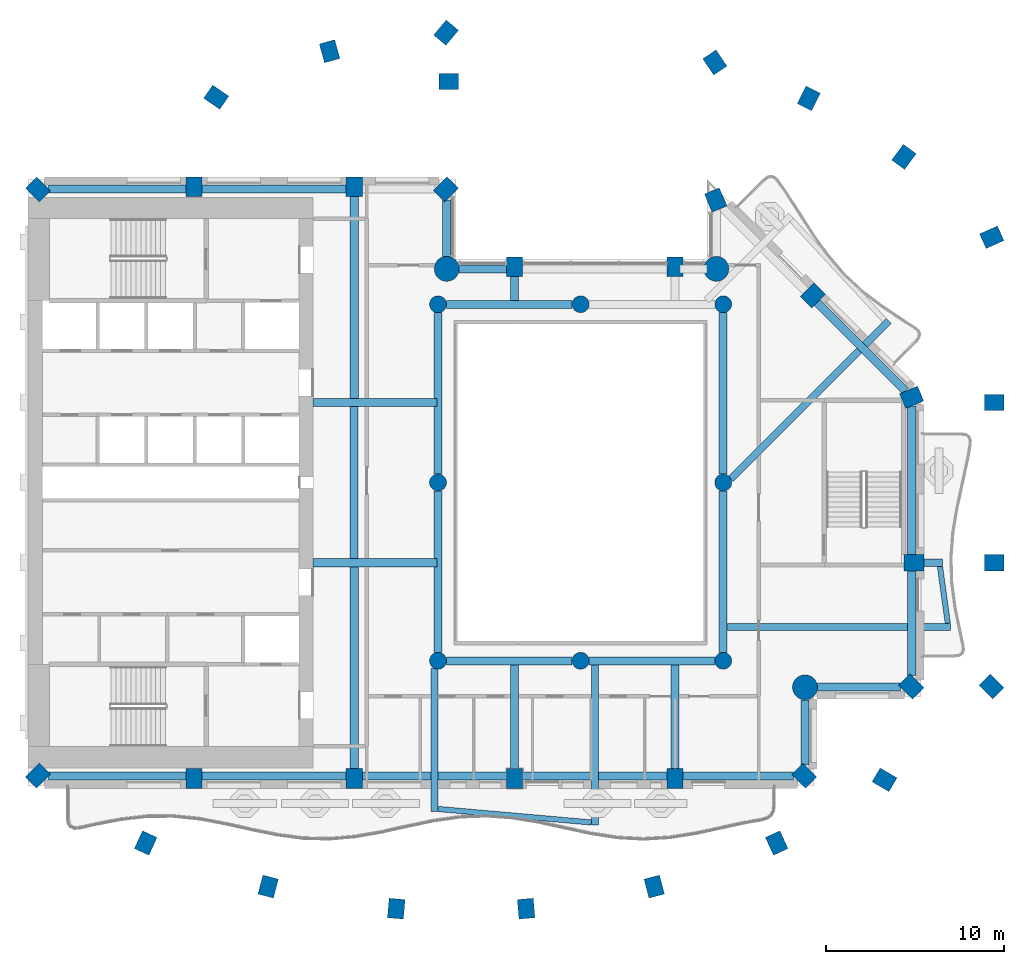
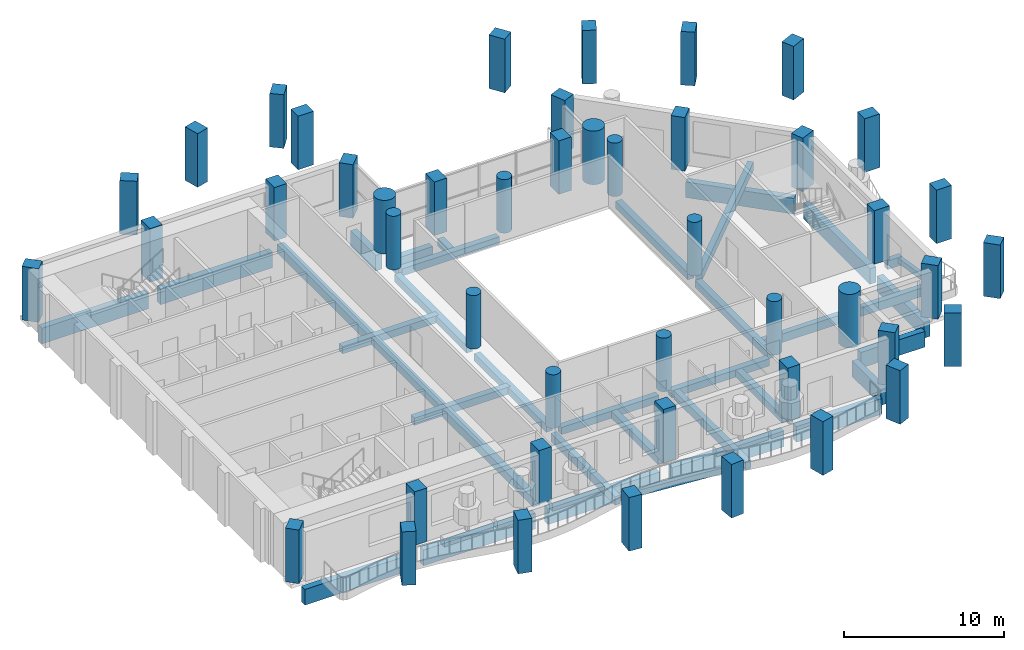
# One storey, part 1 of 15: 46 columns, 36 beams.
"""IFC4 building model written with IfcOpenShell, lengths in metres."""

from ifc_helpers import new_model, si_unit, direction, frame, origin, origin_2d, place, context, subcontext, project, spatial, rectangle, circle, extrude, material, material_profile, profile_set, type_object, element, save


model = new_model("IFC4")

# Units and contexts
model_context = context("Model", 3, precision=1e-05, world=origin(), true_north=direction((0.0, 1.0)))
body_context = subcontext(model_context, "Body", "Model", "MODEL_VIEW")
ifc_project = project(units=[si_unit("LENGTHUNIT", "METRE"), si_unit("AREAUNIT", "SQUARE_METRE"), si_unit("VOLUMEUNIT", "CUBIC_METRE"), si_unit("PLANEANGLEUNIT", "RADIAN"), si_unit("MASSUNIT", "GRAM", prefix="KILO")], contexts=[model_context])

# Site, building, storey
site_placement = place(None, origin())
site = spatial("IfcSite", under=ifc_project, at=site_placement, CompositionType="ELEMENT")
building_placement = place(site_placement, origin())
building = spatial("IfcBuilding", under=site, at=building_placement, Name="Cypress Arch Tower", CompositionType="ELEMENT")
storey_placement = place(building_placement, frame((0.0, 0.0, 176.89990234375)))
storey = spatial("IfcBuildingStorey", under=building, at=storey_placement, Name="L38", CompositionType="ELEMENT", Elevation=176.89990234375)

# Columns
ifc_material_1 = material(Name="Concrete C70/85", Category="concrete")
ifc_material_profile_1 = material_profile(ifc_material_1, rectangle(XDim=0.89990234375, YDim=1.10009765625, at=origin_2d()), Name="RC 900x1100")
ifc_profile_set_1 = profile_set([ifc_material_profile_1], Name="Concrete C70/85")
column_type_1 = type_object("IfcColumnType", Name="Column RC 900x1100 Concrete C70/85", PredefinedType="COLUMN", material=ifc_profile_set_1)
for number, where, z_axis, x_axis, name in (
    (1, (-29.44287109375, 16.44287109375, 0.0), (0.0, 0.0, 1.0), (-0.707106781187, -0.707106781187, 0.0), "Column L38 CB00"),
    (2, (-29.44287109375, -16.44287109375, 0.0), (0.0, 0.0, 1.0), (0.707106781187, -0.707106781187, 0.0), "Column L38 CB01"),
    (3, (-20.699951171875, -16.60009765625, 0.0), (0.0, 0.0, 1.0), (1.0, 0.0, 0.0), "Column L38 CB02"),
    (4, (-11.699951171875, -16.60009765625, 0.0), (0.0, 0.0, 1.0), (1.0, 0.0, 0.0), "Column L38 CB03"),
    (5, (-2.699951171875, -16.60009765625, 0.0), (0.0, 0.0, 1.0), (1.0, 0.0, 0.0), "Column L38 CB04"),
    (6, (6.300048828125, -16.60009765625, 0.0), (0.0, 0.0, 1.0), (1.0, 0.0, 0.0), "Column L38 CB05"),
    (7, (13.54296875, -16.44287109375, 0.0), (0.0, 0.0, 1.0), (0.707106781187, 0.707106781187, 0.0), "Column L38 CB06"),
    (8, (19.54296875, -11.44287109375, 0.0), (0.0, 0.0, 1.0), (0.707106781187, 0.707106781187, 0.0), "Column L38 CB08"),
    (9, (19.699951171875, -4.5, 0.0), (0.0, 0.0, 1.0), (0.0, 1.0, 0.0), "Column L38 CB09"),
    (10, (19.569580078125, 4.7802734375, 0.0), (0.0, 0.0, 1.0), (-0.382683496864, 0.923879505795, 0.0), "Column L38 CB10"),
    (11, (14.029296875, 10.505126953125, 0.0), (0.0, 0.0, 1.0), (-0.707106781187, 0.707106781187, 0.0), "Column L38 CB11"),
    (12, (8.576171875, 15.850341796875, 0.0), (0.0, 0.0, 1.0), (-0.923879672772, -0.382683093746, 0.0), "Column L38 CB12"),
    (13, (6.300048828125, 12.10009765625, 0.0), (0.0, 0.0, 1.0), (-1.0, 0.0, 0.0), "Column L38 CB14"),
    (14, (-2.699951171875, 12.10009765625, 0.0), (0.0, 0.0, 1.0), (-1.0, 0.0, 0.0), "Column L38 CB15"),
    (15, (-6.55712890625, 16.44287109375, 0.0), (0.0, 0.0, 1.0), (-0.707106781187, 0.707106781187, 0.0), "Column L38 CB17"),
    (16, (-11.699951171875, 16.60009765625, 0.0), (0.0, 0.0, 1.0), (-1.0, 0.0, 0.0), "Column L38 CB18"),
    (17, (-20.699951171875, 16.60009765625, 0.0), (0.0, 0.0, 1.0), (-1.0, 0.0, 0.0), "Column L38 CB19"),
    (18, (8.53076171875, 23.564697265625, 0.0), (0.0, 0.0, 1.0), (-0.828469606019, -0.560034027451, 0.0), "Column L38 CQ00"),
    (19, (-6.39990234375, 22.5, 0.0), (0.0, 0.0, 1.0), (0.0, 1.0, 0.0), "Column L38 CQ01"),
    (20, (-6.54833984375, 25.236572265625, 0.0), (0.0, 0.0, 1.0), (-0.766063514674, 0.642764880407, 0.0), "Column L38 CQ02"),
    (21, (-13.081298828125, 24.193359375, 0.0), (0.0, 0.0, 1.0), (-0.96345574646, -0.267867550506, 0.0), "Column L38 CQ03"),
    (22, (-19.44189453125, 21.616943359375, 0.0), (0.0, 0.0, 1.0), (-0.565892599589, -0.824478966215, 0.0), "Column L38 CQ04"),
    (23, (-23.398193359375, -20.221435546875, 0.0), (0.0, 0.0, 1.0), (0.909932071487, -0.414757308891, 0.0), "Column L38 CQ05"),
    (24, (-16.529052734375, -22.666259765625, 0.0), (0.0, 0.0, 1.0), (0.96735573689, -0.2534223319, 0.0), "Column L38 CQ06"),
    (25, (-9.3427734375, -23.903564453125, 0.0), (0.0, 0.0, 1.0), (0.996368206733, -0.085149260784, 0.0), "Column L38 CQ07"),
    (26, (-2.057373046875, -23.903564453125, 0.0), (0.0, 0.0, 1.0), (0.996368206733, 0.085149260784, 0.0), "Column L38 CQ08"),
    (27, (5.12890625, -22.666259765625, 0.0), (0.0, 0.0, 1.0), (0.96735573689, 0.2534223319, 0.0), "Column L38 CQ09"),
    (28, (11.998291015625, -20.221435546875, 0.0), (0.0, 0.0, 1.0), (0.909932071487, 0.414757308891, 0.0), "Column L38 CQ10"),
    (29, (18.048095703125, -16.677490234375, 0.0), (0.0, 0.0, 1.0), (0.504399289829, 0.86347053014, 0.0), "Column L38 CQ11"),
    (30, (24.04296875, -11.44287109375, 0.0), (0.0, 0.0, 1.0), (0.707106781187, 0.707106781187, 0.0), "Column L38 CQ12"),
    (31, (24.199951171875, -4.5, 0.0), (0.0, 0.0, 1.0), (0.0, 1.0, 0.0), "Column L38 CQ13"),
    (32, (24.199951171875, 4.5, 0.0), (0.0, 0.0, 1.0), (0.0, 1.0, 0.0), "Column L38 CQ14"),
    (33, (24.06396484375, 13.75927734375, 0.0), (0.0, 0.0, 1.0), (-0.409765058504, 0.912191096662, 0.0), "Column L38 CQ15"),
    (34, (19.13818359375, 18.267578125, 0.0), (0.0, 0.0, 1.0), (-0.802798546114, 0.596250362144, 0.0), "Column L38 CQ16"),
    (35, (13.80322265625, 21.549072265625, 0.0), (0.0, 0.0, 1.0), (-0.893106499805, 0.44984528452, 0.0), "Column L38 CQ17"),
):
    element("IfcColumn", number, at=place(storey_placement, frame(where, z_axis=z_axis, x_axis=x_axis)), inside=storey, type_object=column_type_1, Name=name, PredefinedType="COLUMN", context=body_context, shape_type="SweptSolid", body=[
        extrude(rectangle(XDim=0.89990234375, YDim=1.10009765625, at=origin_2d()), origin(), (0.0, 0.0, 1.0), 4.10009765625),
    ])
ifc_material_2 = material(Name="Concrete C70/85", Category="concrete")
ifc_material_profile_2 = material_profile(ifc_material_2, circle(Radius=0.47509765625, at=origin_2d()), Name="RC D950")
ifc_profile_set_2 = profile_set([ifc_material_profile_2], Name="Concrete C70/85")
column_type_2 = type_object("IfcColumnType", Name="Column RC D950 Concrete C70/85", PredefinedType="COLUMN", material=ifc_profile_set_2)
for number, where, z_axis, x_axis, name in (
    (36, (-7.0, -10.0, 0.0), (0.0, 0.0, 1.0), (1.0, 0.0, 0.0), "Column L38 RNG-L38-G-7-10"),
    (37, (-7.0, 0.0, 0.0), (0.0, 0.0, 1.0), (1.0, 0.0, 0.0), "Column L38 RNG-L38-G-7+0"),
    (38, (-7.0, 10.0, 0.0), (0.0, 0.0, 1.0), (1.0, 0.0, 0.0), "Column L38 RNG-L38-G-7+10"),
    (39, (1.0, -10.0, 0.0), (0.0, 0.0, 1.0), (1.0, 0.0, 0.0), "Column L38 RNG-L38-G+1-10"),
    (40, (1.0, 10.0, 0.0), (0.0, 0.0, 1.0), (1.0, 0.0, 0.0), "Column L38 RNG-L38-G+1+10"),
    (41, (9.0, -10.0, 0.0), (0.0, 0.0, 1.0), (1.0, 0.0, 0.0), "Column L38 RNG-L38-G+9-10"),
    (42, (9.0, 0.0, 0.0), (0.0, 0.0, 1.0), (1.0, 0.0, 0.0), "Column L38 RNG-L38-G+9+0"),
    (43, (9.0, 10.0, 0.0), (0.0, 0.0, 1.0), (1.0, 0.0, 0.0), "Column L38 RNG-L38-G+9+10"),
):
    element("IfcColumn", number, at=place(storey_placement, frame(where, z_axis=z_axis, x_axis=x_axis)), inside=storey, type_object=column_type_2, Name=name, PredefinedType="COLUMN", context=body_context, shape_type="SweptSolid", body=[
        extrude(circle(Radius=0.47509765625, at=origin_2d()), origin(), (0.0, 0.0, 1.0), 4.10009765625),
    ])
ifc_material_3 = material(Name="Concrete C70/85", Category="concrete")
ifc_material_profile_3 = material_profile(ifc_material_3, circle(Radius=0.699951171875, at=origin_2d()), Name="RC D1400")
ifc_profile_set_3 = profile_set([ifc_material_profile_3], Name="Concrete C70/85")
column_type_3 = type_object("IfcColumnType", Name="Mega-column RC D1400 Concrete C70/85", PredefinedType="COLUMN", material=ifc_profile_set_3)
for number, where, z_axis, x_axis, name in (
    (44, (13.587890625, -11.48779296875, 0.0), (0.0, 0.0, 1.0), (1.0, 0.0, 0.0), "Column L38 CB07"),
    (45, (8.612060546875, 11.98779296875, 0.0), (0.0, 0.0, 1.0), (1.0, 0.0, 0.0), "Column L38 CB13"),
    (46, (-6.51220703125, 11.98779296875, 0.0), (0.0, 0.0, 1.0), (1.0, 0.0, 0.0), "Column L38 CB16"),
):
    element("IfcColumn", number, at=place(storey_placement, frame(where, z_axis=z_axis, x_axis=x_axis)), inside=storey, type_object=column_type_3, Name=name, PredefinedType="COLUMN", context=body_context, shape_type="SweptSolid", body=[
        extrude(circle(Radius=0.699951171875, at=origin_2d()), origin(), (0.0, 0.0, 1.0), 4.10009765625),
    ])

# Beams
ifc_material_4 = material(Name="Concrete C50/60", Category="concrete")
ifc_material_profile_4 = material_profile(ifc_material_4, rectangle(XDim=0.300048828125, YDim=0.39990234375, at=origin_2d()), Name="RC 300x400")
ifc_profile_set_4 = profile_set([ifc_material_profile_4], Name="Concrete C50/60")
beam_type_1 = type_object("IfcBeamType", Name="Balcony edge beam RC 300x400 Concrete C50/60", PredefinedType="BEAM", material=ifc_profile_set_4)
beam_1_placement = place(storey_placement, frame((21.598388671875, -7.89990234375, -0.5), z_axis=(-0.136499286304, 0.990640169203, 0.0), x_axis=(-0.990640169203, -0.136499286304, 0.0)))
element("IfcBeam", 47, at=beam_1_placement, inside=storey, type_object=beam_type_1, Name="Balcony edge beam L38 B04", PredefinedType="BEAM", context=body_context, shape_type="SweptSolid", body=[
    extrude(rectangle(XDim=0.300048828125, YDim=0.39990234375, at=origin_2d()), origin(), (0.0, 0.0, 1.0), 3.230224609375),
])
ifc_material_5 = material(Name="Concrete C50/60", Category="concrete")
ifc_material_profile_5 = material_profile(ifc_material_5, rectangle(XDim=0.300048828125, YDim=0.449951171875, at=origin_2d()), Name="RC 300x450")
ifc_profile_set_5 = profile_set([ifc_material_profile_5], Name="Concrete C50/60")
beam_type_2 = type_object("IfcBeamType", Name="Balcony edge beam RC 300x450 Concrete C50/60", PredefinedType="BEAM", material=ifc_profile_set_5)
beam_2_placement = place(storey_placement, frame((-7.0, -18.313232421875, -0.52490234375), z_axis=(0.99615747285, -0.087580187742, 0.0), x_axis=(0.087580187742, 0.99615747285, 0.0)))
element("IfcBeam", 48, at=beam_2_placement, inside=storey, type_object=beam_type_2, Name="Balcony edge beam L38 B01", PredefinedType="BEAM", context=body_context, shape_type="SweptSolid", body=[
    extrude(rectangle(XDim=0.300048828125, YDim=0.449951171875, at=origin_2d()), origin(), (0.0, 0.0, 1.0), 8.63330078125),
])
ifc_material_6 = material(Name="Concrete C50/60", Category="concrete")
ifc_material_profile_6 = material_profile(ifc_material_6, rectangle(XDim=0.39990234375, YDim=0.64990234375, at=origin_2d()), Name="RC 400x650")
ifc_profile_set_6 = profile_set([ifc_material_profile_6], Name="Concrete C50/60")
beam_type_3 = type_object("IfcBeamType", Name="Cantilever beam RC 400x650 Concrete C50/60", PredefinedType="BEAM", material=ifc_profile_set_6)
beam_3_placement = place(storey_placement, frame((-7.199951171875, -10.4306640625, -0.625), z_axis=(0.0, -1.0, 0.0), x_axis=(1.0, 0.0, 0.0)))
element("IfcBeam", 49, at=beam_3_placement, inside=storey, type_object=beam_type_3, Name="Cantilever beam L38 B01 1", PredefinedType="BEAM", context=body_context, shape_type="SweptSolid", body=[
    extrude(rectangle(XDim=0.39990234375, YDim=0.64990234375, at=origin_2d()), origin(), (0.0, 0.0, 1.0), 8.032470703125),
])
beam_4_placement = place(storey_placement, frame((1.800048828125, -10.22509765625, -0.625), z_axis=(0.0, -1.0, 0.0), x_axis=(1.0, 0.0, 0.0)))
element("IfcBeam", 50, at=beam_4_placement, inside=storey, type_object=beam_type_3, Name="Cantilever beam L38 B01 2", PredefinedType="BEAM", context=body_context, shape_type="SweptSolid", body=[
    extrude(rectangle(XDim=0.39990234375, YDim=0.64990234375, at=origin_2d()), origin(), (0.0, 0.0, 1.0), 8.994384765625),
])
beam_5_placement = place(storey_placement, frame((9.22509765625, -8.10009765625, -0.625), z_axis=(1.0, 0.0, 0.0), x_axis=(0.0, 1.0, 0.0)))
element("IfcBeam", 51, at=beam_5_placement, inside=storey, type_object=beam_type_3, Name="Cantilever beam L38 B04 1", PredefinedType="BEAM", context=body_context, shape_type="SweptSolid", body=[
    extrude(rectangle(XDim=0.39990234375, YDim=0.64990234375, at=origin_2d()), origin(), (0.0, 0.0, 1.0), 12.523193359375),
])
beam_6_placement = place(storey_placement, frame((20.25, -4.5, -0.625), z_axis=(1.0, 0.0, 0.0), x_axis=(0.0, 1.0, 0.0)))
element("IfcBeam", 52, at=beam_6_placement, inside=storey, type_object=beam_type_3, Name="Cantilever beam L38 B04 2", PredefinedType="BEAM", context=body_context, shape_type="SweptSolid", body=[
    extrude(rectangle(XDim=0.39990234375, YDim=0.64990234375, at=origin_2d()), origin(), (0.0, 0.0, 1.0), 1.0576171875),
])
beam_7_placement = place(storey_placement, frame((9.4287109375, 0.204345703125, -0.625), z_axis=(0.707097042027, 0.707116520212, 0.0), x_axis=(-0.707116520212, 0.707097042027, 0.0)))
element("IfcBeam", 53, at=beam_7_placement, inside=storey, type_object=beam_type_3, Name="Cantilever beam L38 B05 1", PredefinedType="BEAM", context=body_context, shape_type="SweptSolid", body=[
    extrude(rectangle(XDim=0.39990234375, YDim=0.64990234375, at=origin_2d()), origin(), (0.0, 0.0, 1.0), 12.533935546875),
])
ifc_material_7 = material(Name="Concrete C50/60", Category="concrete")
ifc_material_profile_7 = material_profile(ifc_material_7, rectangle(XDim=0.449951171875, YDim=0.550048828125, at=origin_2d()), Name="RC 450x550")
ifc_profile_set_7 = profile_set([ifc_material_profile_7], Name="Concrete C50/60")
beam_type_4 = type_object("IfcBeamType", Name="Floor beam RC 450x550 Concrete C50/60", PredefinedType="BEAM", material=ifc_profile_set_7)
for number, where, z_axis, x_axis, name in (
    (54, (-7.0, -9.52490234375, -0.574951171875), (0.0, 1.0, 0.0), (-1.0, 0.0, 0.0), "Floor beam L38 RB001"),
    (55, (-7.0, 0.47509765625, -0.574951171875), (0.0, 1.0, 0.0), (-1.0, 0.0, 0.0), "Floor beam L38 RB002"),
    (56, (9.0, -9.52490234375, -0.574951171875), (0.0, 1.0, 0.0), (-1.0, 0.0, 0.0), "Floor beam L38 RB003"),
    (57, (9.0, 0.47509765625, -0.574951171875), (0.0, 1.0, 0.0), (-1.0, 0.0, 0.0), "Floor beam L38 RB004"),
):
    element("IfcBeam", number, at=place(storey_placement, frame(where, z_axis=z_axis, x_axis=x_axis)), inside=storey, type_object=beam_type_4, Name=name, PredefinedType="BEAM", context=body_context, shape_type="SweptSolid", body=[
        extrude(rectangle(XDim=0.449951171875, YDim=0.550048828125, at=origin_2d()), origin(), (0.0, 0.0, 1.0), 9.0498046875),
    ])
for number, where, z_axis, x_axis, name in (
    (58, (-6.52490234375, -10.0, -0.574951171875), (1.0, 0.0, 0.0), (0.0, 1.0, 0.0), "Floor beam L38 RB005"),
    (59, (1.47509765625, -10.0, -0.574951171875), (1.0, 0.0, 0.0), (0.0, 1.0, 0.0), "Floor beam L38 RB006"),
    (60, (-6.52490234375, 10.0, -0.574951171875), (1.0, 0.0, 0.0), (0.0, 1.0, 0.0), "Floor beam L38 RB007"),
):
    element("IfcBeam", number, at=place(storey_placement, frame(where, z_axis=z_axis, x_axis=x_axis)), inside=storey, type_object=beam_type_4, Name=name, PredefinedType="BEAM", context=body_context, shape_type="SweptSolid", body=[
        extrude(rectangle(XDim=0.449951171875, YDim=0.550048828125, at=origin_2d()), origin(), (0.0, 0.0, 1.0), 7.0498046875),
    ])
for number, where, z_axis, x_axis, name in (
    (61, (-14.0, -4.5, -0.574951171875), (1.0, 0.0, 0.0), (0.0, 1.0, 0.0), "Floor beam L38 FB009"),
    (62, (-14.0, 4.5, -0.574951171875), (1.0, 0.0, 0.0), (0.0, 1.0, 0.0), "Floor beam L38 FB010"),
):
    element("IfcBeam", number, at=place(storey_placement, frame(where, z_axis=z_axis, x_axis=x_axis)), inside=storey, type_object=beam_type_4, Name=name, PredefinedType="BEAM", context=body_context, shape_type="SweptSolid", body=[
        extrude(rectangle(XDim=0.449951171875, YDim=0.550048828125, at=origin_2d()), origin(), (0.0, 0.0, 1.0), 6.949951171875),
    ])
beam_8_placement = place(storey_placement, frame((-11.699951171875, -4.27490234375, -0.574951171875), z_axis=(0.0, 1.0, 0.0), x_axis=(-1.0, 0.0, 0.0)))
element("IfcBeam", 63, at=beam_8_placement, inside=storey, type_object=beam_type_4, Name="Floor beam L38 FB012", PredefinedType="BEAM", context=body_context, shape_type="SweptSolid", body=[
    extrude(rectangle(XDim=0.449951171875, YDim=0.550048828125, at=origin_2d()), origin(), (0.0, 0.0, 1.0), 8.5498046875),
])
beam_9_placement = place(storey_placement, frame((-2.699951171875, -16.050048828125, -0.574951171875), z_axis=(0.0, 1.0, 0.0), x_axis=(-1.0, 0.0, 0.0)))
element("IfcBeam", 64, at=beam_9_placement, inside=storey, type_object=beam_type_4, Name="Floor beam L38 FB014", PredefinedType="BEAM", context=body_context, shape_type="SweptSolid", body=[
    extrude(rectangle(XDim=0.449951171875, YDim=0.550048828125, at=origin_2d()), origin(), (0.0, 0.0, 1.0), 5.824951171875),
])
beam_10_placement = place(storey_placement, frame((-2.699951171875, 10.22509765625, -0.574951171875), z_axis=(0.0, 1.0, 0.0), x_axis=(-1.0, 0.0, 0.0)))
element("IfcBeam", 65, at=beam_10_placement, inside=storey, type_object=beam_type_4, Name="Floor beam L38 FB015", PredefinedType="BEAM", context=body_context, shape_type="SweptSolid", body=[
    extrude(rectangle(XDim=0.449951171875, YDim=0.550048828125, at=origin_2d()), origin(), (0.0, 0.0, 1.0), 1.324951171875),
])
beam_11_placement = place(storey_placement, frame((6.300048828125, -16.050048828125, -0.574951171875), z_axis=(0.0, 1.0, 0.0), x_axis=(-1.0, 0.0, 0.0)))
element("IfcBeam", 66, at=beam_11_placement, inside=storey, type_object=beam_type_4, Name="Floor beam L38 FB016", PredefinedType="BEAM", context=body_context, shape_type="SweptSolid", body=[
    extrude(rectangle(XDim=0.449951171875, YDim=0.550048828125, at=origin_2d()), origin(), (0.0, 0.0, 1.0), 5.824951171875),
])
ifc_material_8 = material(Name="Concrete C50/60", Category="concrete")
ifc_material_profile_8 = material_profile(ifc_material_8, rectangle(XDim=0.5, YDim=0.64990234375, at=origin_2d()), Name="RC 500x650")
ifc_profile_set_8 = profile_set([ifc_material_profile_8], Name="Concrete C50/60")
beam_type_5 = type_object("IfcBeamType", Name="Floor beam RC 500x650 Concrete C50/60", PredefinedType="BEAM", material=ifc_profile_set_8)
for number, where, z_axis, x_axis, name in (
    (67, (-11.699951171875, -16.050048828125, -0.625), (0.0, 1.0, 0.0), (-1.0, 0.0, 0.0), "Floor beam L38 FB011"),
    (68, (-11.699951171875, 4.72509765625, -0.625), (0.0, 1.0, 0.0), (-1.0, 0.0, 0.0), "Floor beam L38 FB013"),
):
    element("IfcBeam", number, at=place(storey_placement, frame(where, z_axis=z_axis, x_axis=x_axis)), inside=storey, type_object=beam_type_5, Name=name, PredefinedType="BEAM", context=body_context, shape_type="SweptSolid", body=[
        extrude(rectangle(XDim=0.5, YDim=0.64990234375, at=origin_2d()), origin(), (0.0, 0.0, 1.0), 11.324951171875),
    ])
ifc_material_9 = material(Name="Concrete C50/60", Category="concrete")
ifc_material_profile_9 = material_profile(ifc_material_9, rectangle(XDim=0.449951171875, YDim=1.199951171875, at=origin_2d()), Name="RC 450x1200")
ifc_profile_set_9 = profile_set([ifc_material_profile_9], Name="Concrete C50/60")
beam_type_6 = type_object("IfcBeamType", Name="Spandrel beam RC 450x1200 Concrete C50/60", PredefinedType="SPANDREL", material=ifc_profile_set_9)
beam_12_placement = place(storey_placement, frame((-28.838623046875, -16.47509765625, -1.5498046875), z_axis=(1.0, 0.0, 0.0), x_axis=(0.0, 1.0, 0.0)))
element("IfcBeam", 69, at=beam_12_placement, inside=storey, type_object=beam_type_6, Name="Spandrel beam L38 BB01-0", PredefinedType="SPANDREL", context=body_context, shape_type="SweptSolid", body=[
    extrude(rectangle(XDim=0.449951171875, YDim=1.199951171875, at=origin_2d()), origin(), (0.0, 0.0, 1.0), 7.688720703125),
])
for number, where, z_axis, x_axis, name in (
    (70, (-20.25, -16.47509765625, -1.5498046875), (1.0, 0.0, 0.0), (0.0, 1.0, 0.0), "Spandrel beam L38 BB01-1"),
    (71, (-11.25, -16.47509765625, -1.5498046875), (1.0, 0.0, 0.0), (0.0, 1.0, 0.0), "Spandrel beam L38 BB01-2"),
    (72, (-2.25, -16.47509765625, -1.5498046875), (1.0, 0.0, 0.0), (0.0, 1.0, 0.0), "Spandrel beam L38 BB01-3"),
):
    element("IfcBeam", number, at=place(storey_placement, frame(where, z_axis=z_axis, x_axis=x_axis)), inside=storey, type_object=beam_type_6, Name=name, PredefinedType="SPANDREL", context=body_context, shape_type="SweptSolid", body=[
        extrude(rectangle(XDim=0.449951171875, YDim=1.199951171875, at=origin_2d()), origin(), (0.0, 0.0, 1.0), 8.10009765625),
    ])
beam_13_placement = place(storey_placement, frame((6.75, -16.47509765625, -1.5498046875), z_axis=(1.0, 0.0, 0.0), x_axis=(0.0, 1.0, 0.0)))
element("IfcBeam", 73, at=beam_13_placement, inside=storey, type_object=beam_type_6, Name="Spandrel beam L38 BB01-4", PredefinedType="SPANDREL", context=body_context, shape_type="SweptSolid", body=[
    extrude(rectangle(XDim=0.449951171875, YDim=1.199951171875, at=origin_2d()), origin(), (0.0, 0.0, 1.0), 6.188720703125),
])
beam_14_placement = place(storey_placement, frame((13.574951171875, -15.838623046875, -1.5498046875), z_axis=(0.0, 1.0, 0.0), x_axis=(-1.0, 0.0, 0.0)))
element("IfcBeam", 74, at=beam_14_placement, inside=storey, type_object=beam_type_6, Name="Spandrel beam L38 BB02-0", PredefinedType="SPANDREL", context=body_context, shape_type="SweptSolid", body=[
    extrude(rectangle(XDim=0.449951171875, YDim=1.199951171875, at=origin_2d()), origin(), (0.0, 0.0, 1.0), 3.651123046875),
])
beam_15_placement = place(storey_placement, frame((14.28759765625, -11.47509765625, -1.5498046875), z_axis=(1.0, 0.0, 0.0), x_axis=(0.0, 1.0, 0.0)))
element("IfcBeam", 75, at=beam_15_placement, inside=storey, type_object=beam_type_6, Name="Spandrel beam L38 BB03-0", PredefinedType="SPANDREL", context=body_context, shape_type="SweptSolid", body=[
    extrude(rectangle(XDim=0.449951171875, YDim=1.199951171875, at=origin_2d()), origin(), (0.0, 0.0, 1.0), 4.651123046875),
])
beam_16_placement = place(storey_placement, frame((19.574951171875, -10.838623046875, -1.5498046875), z_axis=(0.0, 1.0, 0.0), x_axis=(-1.0, 0.0, 0.0)))
element("IfcBeam", 76, at=beam_16_placement, inside=storey, type_object=beam_type_6, Name="Spandrel beam L38 BB04-0", PredefinedType="SPANDREL", context=body_context, shape_type="SweptSolid", body=[
    extrude(rectangle(XDim=0.449951171875, YDim=1.199951171875, at=origin_2d()), origin(), (0.0, 0.0, 1.0), 5.888671875),
])
beam_17_placement = place(storey_placement, frame((19.574951171875, -4.050048828125, -1.5498046875), z_axis=(0.0, 1.0, 0.0), x_axis=(-1.0, 0.0, 0.0)))
element("IfcBeam", 77, at=beam_17_placement, inside=storey, type_object=beam_type_6, Name="Spandrel beam L38 BB04-1", PredefinedType="SPANDREL", context=body_context, shape_type="SweptSolid", body=[
    extrude(rectangle(XDim=0.449951171875, YDim=1.199951171875, at=origin_2d()), origin(), (0.0, 0.0, 1.0), 8.345458984375),
])
beam_18_placement = place(storey_placement, frame((19.23046875, 5.126953125, -1.5498046875), z_axis=(-0.707106781187, 0.707106781187, 0.0), x_axis=(-0.707106781187, -0.707106781187, 0.0)))
element("IfcBeam", 78, at=beam_18_placement, inside=storey, type_object=beam_type_6, Name="Spandrel beam L38 BB05-0", PredefinedType="SPANDREL", context=body_context, shape_type="SweptSolid", body=[
    extrude(rectangle(XDim=0.449951171875, YDim=1.199951171875, at=origin_2d()), origin(), (0.0, 0.0, 1.0), 7.03076171875),
])
beam_19_placement = place(storey_placement, frame((-3.14990234375, 11.97509765625, -1.5498046875), z_axis=(-1.0, 0.0, 0.0), x_axis=(0.0, -1.0, 0.0)))
element("IfcBeam", 79, at=beam_19_placement, inside=storey, type_object=beam_type_6, Name="Spandrel beam L38 BB07-2", PredefinedType="SPANDREL", context=body_context, shape_type="SweptSolid", body=[
    extrude(rectangle(XDim=0.449951171875, YDim=1.199951171875, at=origin_2d()), origin(), (0.0, 0.0, 1.0), 2.66259765625),
])
beam_20_placement = place(storey_placement, frame((-6.52490234375, 12.6875, -1.5498046875), z_axis=(0.0, 1.0, 0.0), x_axis=(-1.0, 0.0, 0.0)))
element("IfcBeam", 80, at=beam_20_placement, inside=storey, type_object=beam_type_6, Name="Spandrel beam L38 BB08-0", PredefinedType="SPANDREL", context=body_context, shape_type="SweptSolid", body=[
    extrude(rectangle(XDim=0.449951171875, YDim=1.199951171875, at=origin_2d()), origin(), (0.0, 0.0, 1.0), 3.151123046875),
])
beam_21_placement = place(storey_placement, frame((-12.14990234375, 16.47509765625, -1.5498046875), z_axis=(-1.0, 0.0, 0.0), x_axis=(0.0, -1.0, 0.0)))
element("IfcBeam", 81, at=beam_21_placement, inside=storey, type_object=beam_type_6, Name="Spandrel beam L38 BB09-1", PredefinedType="SPANDREL", context=body_context, shape_type="SweptSolid", body=[
    extrude(rectangle(XDim=0.449951171875, YDim=1.199951171875, at=origin_2d()), origin(), (0.0, 0.0, 1.0), 8.10009765625),
])
beam_22_placement = place(storey_placement, frame((-21.14990234375, 16.47509765625, -1.5498046875), z_axis=(-1.0, 0.0, 0.0), x_axis=(0.0, -1.0, 0.0)))
element("IfcBeam", 82, at=beam_22_placement, inside=storey, type_object=beam_type_6, Name="Spandrel beam L38 BB09-2", PredefinedType="SPANDREL", context=body_context, shape_type="SweptSolid", body=[
    extrude(rectangle(XDim=0.449951171875, YDim=1.199951171875, at=origin_2d()), origin(), (0.0, 0.0, 1.0), 7.688720703125),
])

save(model, "model.ifc")
